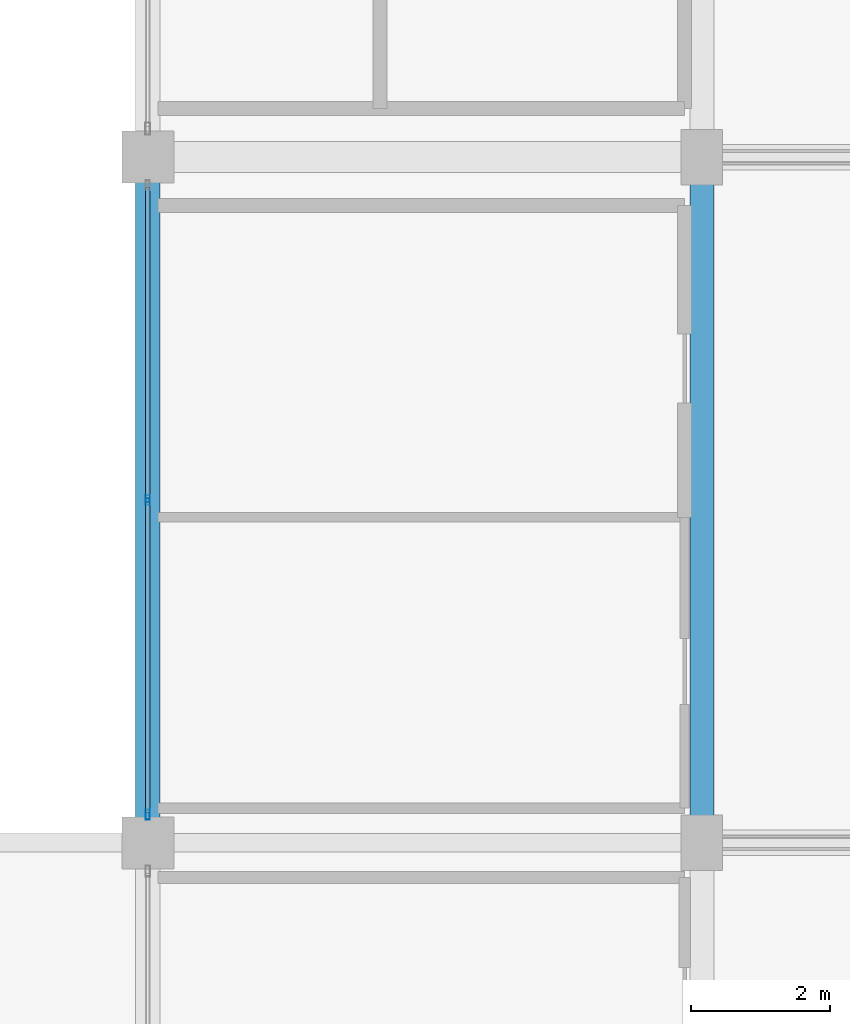
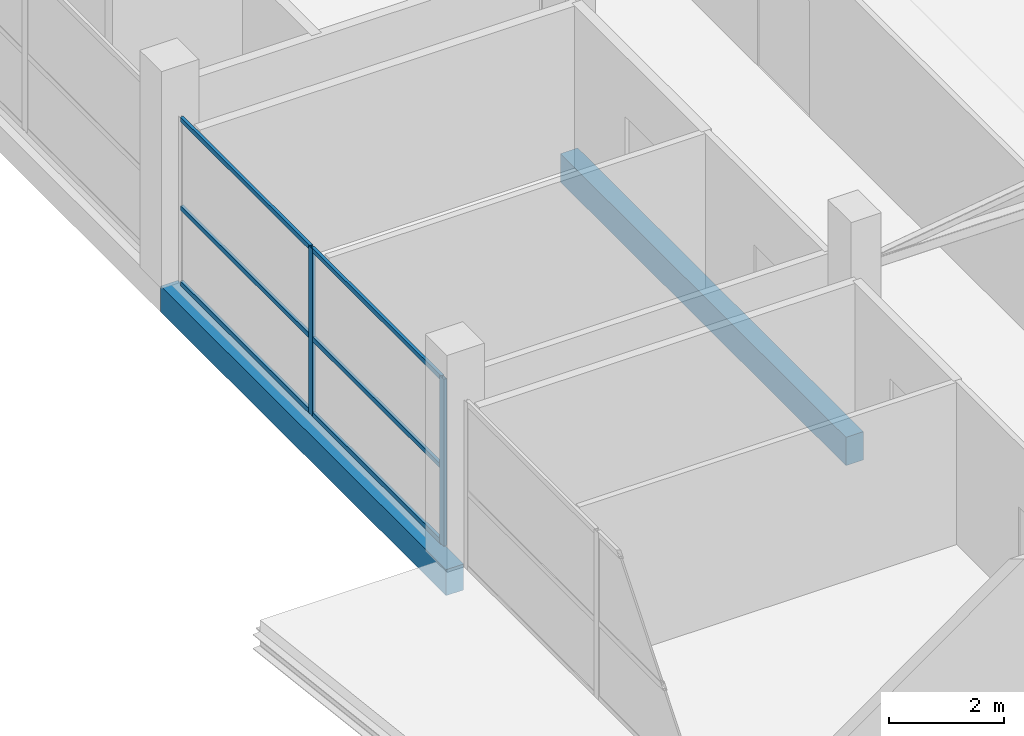
# One storey, part 20 of 55: 8 members, 2 beams, 1 element without a shape of its own.
"""IFC4 building model written with IfcOpenShell, lengths in metres."""

from ifc_helpers import new_model, si_unit, direction, frame, origin, origin_2d, place, context, subcontext, project, spatial, rectangle, hollow_rectangle, extrude, material, layer, layer_set, material_profile, profile_set, type_object, element, aggregate, save


model = new_model("IFC4")

# Units and contexts
model_context = context("Model", 3, precision=1e-05, world=origin(), true_north=direction((0.0, 1.0)))
body_context = subcontext(model_context, "Body", "Model", "MODEL_VIEW")
ifc_project = project(units=[si_unit("LENGTHUNIT", "METRE"), si_unit("AREAUNIT", "SQUARE_METRE"), si_unit("VOLUMEUNIT", "CUBIC_METRE"), si_unit("PLANEANGLEUNIT", "RADIAN"), si_unit("MASSUNIT", "GRAM", prefix="KILO")], contexts=[model_context])

# Site, building, storey
site_placement = place(None, origin())
site = spatial("IfcSite", under=ifc_project, at=site_placement, CompositionType="ELEMENT")
building_placement = place(site_placement, origin())
building = spatial("IfcBuilding", under=site, at=building_placement, Name="Sillaruma Civic Art Gallery", CompositionType="ELEMENT")
storey_placement = place(building_placement, frame((0.0, 0.0, 37.739990234375)))
storey = spatial("IfcBuildingStorey", under=building, at=storey_placement, Name="L07", CompositionType="ELEMENT", Elevation=37.739990234375)

# Beams
ifc_material_1 = material(Name="Concrete H35 (35 MPa)", Category="concrete")
ifc_material_profile_1 = material_profile(ifc_material_1, rectangle(XDim=0.35009765625, YDim=0.60009765625, at=origin_2d()), Name="RCB350x600")
ifc_profile_set_1 = profile_set([ifc_material_profile_1], Name="Concrete H35 (35 MPa)")
beam_type_1 = type_object("IfcBeamType", Name="BM-BEAM-RCB350x600", PredefinedType="BEAM", material=ifc_profile_set_1)
beam_1_placement = place(storey_placement, frame((70.0, 59.39990234375, -0.5400390625), z_axis=(0.0, 1.0, 0.0), x_axis=(-1.0, 0.0, 0.0)))
element("IfcBeam", 1, at=beam_1_placement, inside=storey, type_object=beam_type_1, Name="Beam BM-06 (L06:G:7-8)", PredefinedType="BEAM", context=body_context, shape_type="SweptSolid", body=[
    extrude(rectangle(XDim=0.35009765625, YDim=0.60009765625, at=origin_2d()), origin(), (0.0, 0.0, 1.0), 9.900146484375),
])
ifc_material_profile_2 = material_profile(ifc_material_1, rectangle(XDim=0.35009765625, YDim=0.550048828125, at=origin_2d()), Name="RCB350x550")
ifc_profile_set_2 = profile_set([ifc_material_profile_2], Name="Concrete H35 (35 MPa)")
beam_type_2 = type_object("IfcBeamType", Name="BM-SPANDREL-RCB350x550", PredefinedType="SPANDREL", material=ifc_profile_set_2)
beam_2_placement = place(storey_placement, frame((62.0, 59.39990234375, -0.514892578125), z_axis=(0.0, 1.0, 0.0), x_axis=(-1.0, 0.0, 0.0)))
element("IfcBeam", 2, at=beam_2_placement, inside=storey, type_object=beam_type_2, Name="Beam BS-04 (L06:F:7-8)", PredefinedType="SPANDREL", context=body_context, shape_type="SweptSolid", body=[
    extrude(rectangle(XDim=0.35009765625, YDim=0.550048828125, at=origin_2d()), origin(), (0.0, 0.0, 1.0), 9.900146484375),
])

# Curtain wall, members
ifc_material_2 = material(Name="Thermally Broken Extruded Aluminium 6063-T6", Category="aluminium")
ifc_layer = layer(ifc_material_2, 0.139892578125, Name="Thermally Broken Extruded Aluminium 6063-T6")
ifc_layer_set = layer_set([ifc_layer], Name="Thermally Broken Extruded Aluminium 6063-T6")
curtain_wall_type = type_object("IfcCurtainWallType", Name="CW-UNI-48", PredefinedType="NOTDEFINED", material=ifc_layer_set)
curtain_wall_placement = place(storey_placement, origin())
curtain_wall = element("IfcCurtainWall", 3, at=curtain_wall_placement, inside=storey, type_object=curtain_wall_type, Name="Unitised Curtain Wall CW-48 (CW-L07-W-5)", PredefinedType="NOTDEFINED")
ifc_material_profile_3 = material_profile(ifc_material_2, hollow_rectangle(XDim=0.06005859375, YDim=0.139892578125, WallThickness=0.00341796875, at=origin_2d()), Name="CWM60x140")
ifc_profile_set_3 = profile_set([ifc_material_profile_3], Name="Thermally Broken Extruded Aluminium 6063-T6")
member_type_1 = type_object("IfcMemberType", Name="MEM-MUL-CWM60x140", PredefinedType="MULLION", material=ifc_profile_set_3)
member_1_placement = place(storey_placement, frame((62.0, 59.804931640625, 0.0), z_axis=(0.0, 0.0, 1.0), x_axis=(-1.0, 0.0, 0.0)))
member_1 = element("IfcMember", 4, at=member_1_placement, type_object=member_type_1, Name="CW-48 mullion 1", PredefinedType="MULLION", context=body_context, shape_type="SweptSolid", body=[
    extrude(hollow_rectangle(XDim=0.06005859375, YDim=0.139892578125, WallThickness=0.00341796875, at=origin_2d()), origin(), (0.0, 0.0, 1.0), 3.530029296875),
])
member_2_placement = place(storey_placement, frame((62.0, 64.35009765625, 0.0), z_axis=(0.0, 0.0, 1.0), x_axis=(-1.0, 0.0, 0.0)))
member_2 = element("IfcMember", 5, at=member_2_placement, type_object=member_type_1, Name="CW-48 mullion 2", PredefinedType="MULLION", context=body_context, shape_type="SweptSolid", body=[
    extrude(hollow_rectangle(XDim=0.06005859375, YDim=0.139892578125, WallThickness=0.00341796875, at=origin_2d()), origin(), (0.0, 0.0, 1.0), 3.530029296875),
])
ifc_material_profile_4 = material_profile(ifc_material_2, hollow_rectangle(XDim=0.06005859375, YDim=0.10009765625, WallThickness=0.003173828125, at=origin_2d()), Name="CWT60x100")
ifc_profile_set_4 = profile_set([ifc_material_profile_4], Name="Thermally Broken Extruded Aluminium 6063-T6")
member_type_2 = type_object("IfcMemberType", Name="MEM-TRN-CWT60x100", PredefinedType="USERDEFINED", material=ifc_profile_set_4)
member_3_placement = place(storey_placement, frame((62.0, 59.8349609375, 0.030029296875), z_axis=(0.0, 1.0, 0.0), x_axis=(-1.0, 0.0, 0.0)))
member_3 = element("IfcMember", 6, at=member_3_placement, type_object=member_type_2, Name="CW-48 transom 1.1", ObjectType="TRANSOM", PredefinedType="USERDEFINED", context=body_context, shape_type="SweptSolid", body=[
    extrude(hollow_rectangle(XDim=0.06005859375, YDim=0.10009765625, WallThickness=0.003173828125, at=origin_2d()), origin(), (0.0, 0.0, 1.0), 4.485107421875),
])
member_4_placement = place(storey_placement, frame((62.0, 59.8349609375, 1.623779296875), z_axis=(0.0, 1.0, 0.0), x_axis=(-1.0, 0.0, 0.0)))
member_4 = element("IfcMember", 7, at=member_4_placement, type_object=member_type_2, Name="CW-48 transom 1.2", ObjectType="TRANSOM", PredefinedType="USERDEFINED", context=body_context, shape_type="SweptSolid", body=[
    extrude(hollow_rectangle(XDim=0.06005859375, YDim=0.10009765625, WallThickness=0.003173828125, at=origin_2d()), origin(), (0.0, 0.0, 1.0), 4.485107421875),
])
member_5_placement = place(storey_placement, frame((62.0, 59.8349609375, 3.5), z_axis=(0.0, 1.0, 0.0), x_axis=(-1.0, 0.0, 0.0)))
member_5 = element("IfcMember", 8, at=member_5_placement, type_object=member_type_2, Name="CW-48 transom 1.3", ObjectType="TRANSOM", PredefinedType="USERDEFINED", context=body_context, shape_type="SweptSolid", body=[
    extrude(hollow_rectangle(XDim=0.06005859375, YDim=0.10009765625, WallThickness=0.003173828125, at=origin_2d()), origin(), (0.0, 0.0, 1.0), 4.485107421875),
])
member_6_placement = place(storey_placement, frame((62.0, 64.3798828125, 0.030029296875), z_axis=(0.0, 1.0, 0.0), x_axis=(-1.0, 0.0, 0.0)))
member_6 = element("IfcMember", 9, at=member_6_placement, type_object=member_type_2, Name="CW-48 transom 2.1", ObjectType="TRANSOM", PredefinedType="USERDEFINED", context=body_context, shape_type="SweptSolid", body=[
    extrude(hollow_rectangle(XDim=0.06005859375, YDim=0.10009765625, WallThickness=0.003173828125, at=origin_2d()), origin(), (0.0, 0.0, 1.0), 4.485107421875),
])
member_7_placement = place(storey_placement, frame((62.0, 64.3798828125, 1.623779296875), z_axis=(0.0, 1.0, 0.0), x_axis=(-1.0, 0.0, 0.0)))
member_7 = element("IfcMember", 10, at=member_7_placement, type_object=member_type_2, Name="CW-48 transom 2.2", ObjectType="TRANSOM", PredefinedType="USERDEFINED", context=body_context, shape_type="SweptSolid", body=[
    extrude(hollow_rectangle(XDim=0.06005859375, YDim=0.10009765625, WallThickness=0.003173828125, at=origin_2d()), origin(), (0.0, 0.0, 1.0), 4.485107421875),
])
member_8_placement = place(storey_placement, frame((62.0, 64.3798828125, 3.5), z_axis=(0.0, 1.0, 0.0), x_axis=(-1.0, 0.0, 0.0)))
member_8 = element("IfcMember", 11, at=member_8_placement, type_object=member_type_2, Name="CW-48 transom 2.3", ObjectType="TRANSOM", PredefinedType="USERDEFINED", context=body_context, shape_type="SweptSolid", body=[
    extrude(hollow_rectangle(XDim=0.06005859375, YDim=0.10009765625, WallThickness=0.003173828125, at=origin_2d()), origin(), (0.0, 0.0, 1.0), 4.485107421875),
])
aggregate(curtain_wall, [member_1, member_2, member_3, member_4, member_5, member_6, member_7, member_8])

save(model, "model.ifc")
